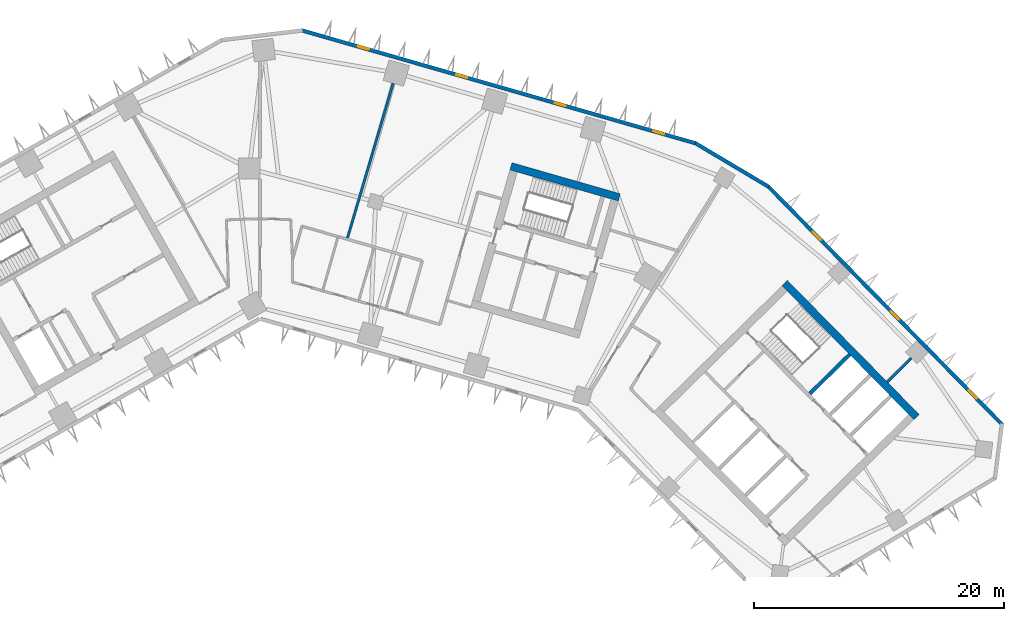
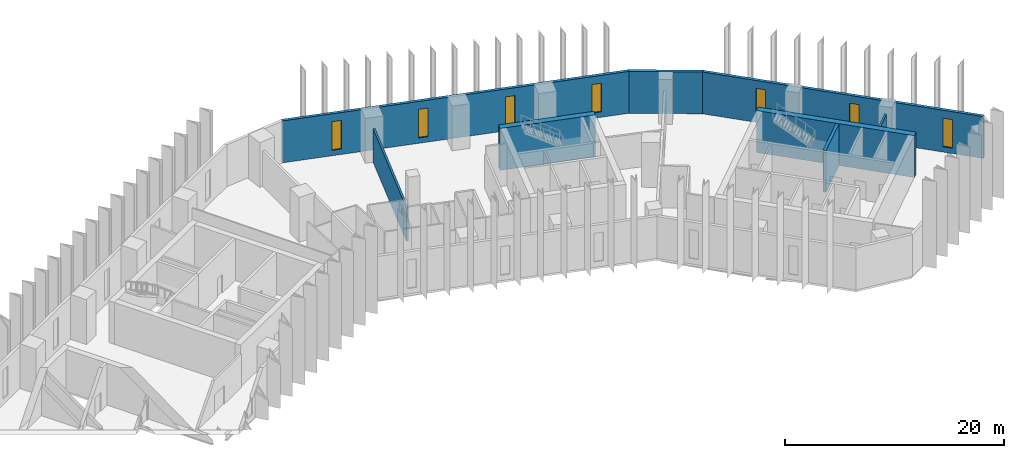
# One storey, part 7 of 11: 8 walls, 7 windows, 7 openings.
"""IFC4 building model written with IfcOpenShell, lengths in metres."""

from ifc_helpers import new_model, si_unit, direction, frame, frame_2d, origin, place, context, subcontext, project, spatial, rectangle, extrude, material, layer, layer_set, type_object, element, fill, save


model = new_model("IFC4")

# Units and contexts
model_context = context("Model", 3, precision=1e-05, world=origin(), true_north=direction((0.0, 1.0)))
body_context = subcontext(model_context, "Body", "Model", "MODEL_VIEW")
ifc_project = project(units=[si_unit("LENGTHUNIT", "METRE"), si_unit("AREAUNIT", "SQUARE_METRE"), si_unit("VOLUMEUNIT", "CUBIC_METRE"), si_unit("PLANEANGLEUNIT", "RADIAN"), si_unit("MASSUNIT", "GRAM", prefix="KILO")], contexts=[model_context])

# Site, building, storey
site_placement = place(None, origin())
site = spatial("IfcSite", under=ifc_project, at=site_placement, CompositionType="ELEMENT")
building_placement = place(site_placement, origin())
building = spatial("IfcBuilding", under=site, at=building_placement, Name="Binnacle Exchange Tower", CompositionType="ELEMENT")
storey_placement = place(building_placement, frame((0.0, 0.0, 46.5)))
storey = spatial("IfcBuildingStorey", under=building, at=storey_placement, Name="L09", CompositionType="ELEMENT", Elevation=46.5)

# Walls
ifc_material_1 = material(Name="Concrete C70/85", Category="concrete")
ifc_layer_1 = layer(ifc_material_1, 0.60009765625)
ifc_layer_set_1 = layer_set([ifc_layer_1], Name="Core wall - outer 600")
wall_type_1 = type_object("IfcWallType", Name="Core wall - outer 600", PredefinedType="SOLIDWALL", material=ifc_layer_set_1)
wall_1_placement = place(storey_placement, frame((41.91650390625, 50.855712890625, 0.0), z_axis=(0.0, 0.0, 1.0), x_axis=(0.700911255944, -0.713248491965, 0.0)))
element("IfcWall", 1, at=wall_1_placement, inside=storey, type_object=wall_type_1, Name="Core wall CRWB6", PredefinedType="SOLIDWALL", context=body_context, shape_type="SweptSolid", body=[
    extrude(rectangle(XDim=15.0, YDim=0.60009765625, at=frame_2d((7.5, 0.0))), origin(), (0.0, 0.0, 1.0), 4.679931640625),
])
wall_2_placement = place(storey_placement, frame((20.052734375, 60.1796875, 0.0), z_axis=(0.0, 0.0, 1.0), x_axis=(0.96126248289, -0.275634611374, 0.0)))
element("IfcWall", 2, at=wall_2_placement, inside=storey, type_object=wall_type_1, Name="Core wall CRWD6", PredefinedType="SOLIDWALL", context=body_context, shape_type="SweptSolid", body=[
    extrude(rectangle(XDim=9.0, YDim=0.60009765625, at=frame_2d((4.5, 0.0))), origin(), (0.0, 0.0, 1.0), 4.679931640625),
])
ifc_layer_2 = layer(ifc_material_1, 0.300048828125)
ifc_layer_set_2 = layer_set([ifc_layer_2], Name="Core wall - stair 300")
wall_type_2 = type_object("IfcWallType", Name="Core wall - stair 300", PredefinedType="SOLIDWALL", material=ifc_layer_set_2)
wall_3_placement = place(storey_placement, frame((43.925537109375, 42.034423828125, 0.0), z_axis=(0.0, 0.0, 1.0), x_axis=(0.713251741427, 0.700907949271, 0.0)))
element("IfcWall", 3, at=wall_3_placement, inside=storey, type_object=wall_type_2, Name="Core wall CRWB11", PredefinedType="SOLIDWALL", context=body_context, shape_type="SweptSolid", body=[
    extrude(rectangle(XDim=4.4501953125, YDim=0.300048828125, at=frame_2d((2.22509765625, 0.0))), origin(), (0.0, 0.0, 1.0), 4.679931640625),
])
ifc_material_2 = material(Name="Bronze aluminium cladding", Category="aluminium")
ifc_layer_3 = layer(ifc_material_2, 0.300048828125)
ifc_layer_set_3 = layer_set([ifc_layer_3], Name="External wall - spandrel 300")
wall_type_3 = type_object("IfcWallType", Name="External wall - spandrel 300", PredefinedType="STANDARD", material=ifc_layer_set_3)
wall_4_placement = place(storey_placement, frame((34.773193359375, 62.0341796875, 0.0), z_axis=(0.0, 0.0, 1.0), x_axis=(0.859401317772, -0.511301647769, 0.0)))
element("IfcWall", 4, at=wall_4_placement, inside=storey, type_object=wall_type_3, Name="External wall EW-F00 L09", PredefinedType="STANDARD", context=body_context, shape_type="SweptSolid", body=[
    extrude(rectangle(XDim=6.80810546875, YDim=0.300048828125, at=frame_2d((3.404052734375, 0.0))), origin(), (0.0, 0.0, 1.0), 4.679931640625),
])

# Wall, openings, windows
wall_5_placement = place(storey_placement, frame((3.33544921875, 71.043701171875, 0.0), z_axis=(0.0, 0.0, 1.0), x_axis=(0.961260130989, -0.275642813387, 0.0)))
wall_5 = element("IfcWall", 5, at=wall_5_placement, inside=storey, type_object=wall_type_3, Name="External wall EW-F01 L09", PredefinedType="STANDARD", context=body_context, shape_type="SweptSolid", body=[
    extrude(rectangle(XDim=32.7412109375, YDim=0.300048828125, at=frame_2d((16.37060546875, 0.0))), origin(), (0.0, 0.0, 1.0), 4.679931640625),
])
opening_1_placement = place(wall_5_placement, frame((29.20703125, 0.0, 0.60009765625)))
opening_1 = element("IfcOpeningElement", 6, at=opening_1_placement, cuts=wall_5, Name="Opening WS1", PredefinedType="OPENING", context=body_context, shape_type="SweptSolid", body=[
    extrude(rectangle(XDim=0.89990234375, YDim=3.199951171875, at=frame_2d((0.449951171875, 1.60009765625))), frame((0.0, 0.159912109375, 0.0), z_axis=(0.0, -1.0, 0.0), x_axis=(1.0, 0.0, 0.0)), (0.0, 0.0, 1.0), 0.320068359375),
])
opening_2_placement = place(wall_5_placement, frame((21.0341796875, 0.0, 0.60009765625)))
opening_2 = element("IfcOpeningElement", 7, at=opening_2_placement, cuts=wall_5, Name="Opening WS1", PredefinedType="OPENING", context=body_context, shape_type="SweptSolid", body=[
    extrude(rectangle(XDim=0.89990234375, YDim=3.199951171875, at=frame_2d((0.449951171875, 1.60009765625))), frame((0.0, 0.159912109375, 0.0), z_axis=(0.0, -1.0, 0.0), x_axis=(1.0, 0.0, 0.0)), (0.0, 0.0, 1.0), 0.320068359375),
])
opening_3_placement = place(wall_5_placement, frame((12.861083984375, 0.0, 0.60009765625)))
opening_3 = element("IfcOpeningElement", 8, at=opening_3_placement, cuts=wall_5, Name="Opening WS1", PredefinedType="OPENING", context=body_context, shape_type="SweptSolid", body=[
    extrude(rectangle(XDim=0.89990234375, YDim=3.199951171875, at=frame_2d((0.449951171875, 1.60009765625))), frame((0.0, 0.159912109375, 0.0), z_axis=(0.0, -1.0, 0.0), x_axis=(1.0, 0.0, 0.0)), (0.0, 0.0, 1.0), 0.320068359375),
])
opening_4_placement = place(wall_5_placement, frame((4.688232421875, 0.0, 0.60009765625)))
opening_4 = element("IfcOpeningElement", 9, at=opening_4_placement, cuts=wall_5, Name="Opening WS1", PredefinedType="OPENING", context=body_context, shape_type="SweptSolid", body=[
    extrude(rectangle(XDim=0.89990234375, YDim=3.199951171875, at=frame_2d((0.449951171875, 1.60009765625))), frame((0.0, 0.159912109375, 0.0), z_axis=(0.0, -1.0, 0.0), x_axis=(1.0, 0.0, 0.0)), (0.0, 0.0, 1.0), 0.320068359375),
])
ifc_material_3 = material(Name="Bronze anodised aluminium frame", Category="aluminium")
window_type = type_object("IfcWindowType", Name="WS1 WINDOW 900x3200", PartitioningType="SINGLE_PANEL", PredefinedType="WINDOW", material=ifc_material_3)
window_1_placement = place(opening_1_placement, origin())
window_1 = element("IfcWindow", 10, at=window_1_placement, inside=storey, type_object=window_type, Name="Window WS1 L09", OverallHeight=3.199951171875, OverallWidth=0.89990234375, PartitioningType="SINGLE_PANEL", PredefinedType="WINDOW", context=body_context, shape_type="SweptSolid", body=[
    extrude(rectangle(XDim=0.89990234375, YDim=3.199951171875, at=frame_2d((0.449951171875, 1.60009765625))), frame((0.0, 0.030029296875, 0.0), z_axis=(0.0, -1.0, 0.0), x_axis=(1.0, 0.0, 0.0)), (0.0, 0.0, 1.0), 0.06005859375),
])
fill(opening_1, window_1)
window_2_placement = place(opening_2_placement, origin())
window_2 = element("IfcWindow", 11, at=window_2_placement, inside=storey, type_object=window_type, Name="Window WS1 L09", OverallHeight=3.199951171875, OverallWidth=0.89990234375, PartitioningType="SINGLE_PANEL", PredefinedType="WINDOW", context=body_context, shape_type="SweptSolid", body=[
    extrude(rectangle(XDim=0.89990234375, YDim=3.199951171875, at=frame_2d((0.449951171875, 1.60009765625))), frame((0.0, 0.030029296875, 0.0), z_axis=(0.0, -1.0, 0.0), x_axis=(1.0, 0.0, 0.0)), (0.0, 0.0, 1.0), 0.06005859375),
])
fill(opening_2, window_2)
window_3_placement = place(opening_3_placement, origin())
window_3 = element("IfcWindow", 12, at=window_3_placement, inside=storey, type_object=window_type, Name="Window WS1 L09", OverallHeight=3.199951171875, OverallWidth=0.89990234375, PartitioningType="SINGLE_PANEL", PredefinedType="WINDOW", context=body_context, shape_type="SweptSolid", body=[
    extrude(rectangle(XDim=0.89990234375, YDim=3.199951171875, at=frame_2d((0.449951171875, 1.60009765625))), frame((0.0, 0.030029296875, 0.0), z_axis=(0.0, -1.0, 0.0), x_axis=(1.0, 0.0, 0.0)), (0.0, 0.0, 1.0), 0.06005859375),
])
fill(opening_3, window_3)
window_4_placement = place(opening_4_placement, origin())
window_4 = element("IfcWindow", 13, at=window_4_placement, inside=storey, type_object=window_type, Name="Window WS1 L09", OverallHeight=3.199951171875, OverallWidth=0.89990234375, PartitioningType="SINGLE_PANEL", PredefinedType="WINDOW", context=body_context, shape_type="SweptSolid", body=[
    extrude(rectangle(XDim=0.89990234375, YDim=3.199951171875, at=frame_2d((0.449951171875, 1.60009765625))), frame((0.0, 0.030029296875, 0.0), z_axis=(0.0, -1.0, 0.0), x_axis=(1.0, 0.0, 0.0)), (0.0, 0.0, 1.0), 0.06005859375),
])
fill(opening_4, window_4)

wall_6_placement = place(storey_placement, frame((40.59375, 58.576904296875, 0.0), z_axis=(0.0, 0.0, 1.0), x_axis=(0.700909719808, -0.713250001528, 0.0)))
wall_6 = element("IfcWall", 14, at=wall_6_placement, inside=storey, type_object=wall_type_3, Name="External wall EW-F13 L09", PredefinedType="STANDARD", context=body_context, shape_type="SweptSolid", body=[
    extrude(rectangle(XDim=26.70849609375, YDim=0.300048828125, at=frame_2d((13.354248046875, 0.0))), origin(), (0.0, 0.0, 1.0), 4.679931640625),
])
opening_5_placement = place(wall_6_placement, frame((22.8583984375, 0.0, 0.60009765625)))
opening_5 = element("IfcOpeningElement", 15, at=opening_5_placement, cuts=wall_6, Name="Opening WS1", PredefinedType="OPENING", context=body_context, shape_type="SweptSolid", body=[
    extrude(rectangle(XDim=0.89990234375, YDim=3.199951171875, at=frame_2d((0.449951171875, 1.60009765625))), frame((0.0, 0.159912109375, 0.0), z_axis=(0.0, -1.0, 0.0), x_axis=(1.0, 0.0, 0.0)), (0.0, 0.0, 1.0), 0.320068359375),
])
opening_6_placement = place(wall_6_placement, frame((13.986572265625, 0.0, 0.60009765625)))
opening_6 = element("IfcOpeningElement", 16, at=opening_6_placement, cuts=wall_6, Name="Opening WS1", PredefinedType="OPENING", context=body_context, shape_type="SweptSolid", body=[
    extrude(rectangle(XDim=0.89990234375, YDim=3.199951171875, at=frame_2d((0.449951171875, 1.60009765625))), frame((0.0, 0.159912109375, 0.0), z_axis=(0.0, -1.0, 0.0), x_axis=(1.0, 0.0, 0.0)), (0.0, 0.0, 1.0), 0.320068359375),
])
opening_7_placement = place(wall_6_placement, frame((5.114501953125, 0.0, 0.60009765625)))
opening_7 = element("IfcOpeningElement", 17, at=opening_7_placement, cuts=wall_6, Name="Opening WS1", PredefinedType="OPENING", context=body_context, shape_type="SweptSolid", body=[
    extrude(rectangle(XDim=0.89990234375, YDim=3.199951171875, at=frame_2d((0.449951171875, 1.60009765625))), frame((0.0, 0.159912109375, 0.0), z_axis=(0.0, -1.0, 0.0), x_axis=(1.0, 0.0, 0.0)), (0.0, 0.0, 1.0), 0.320068359375),
])
window_5_placement = place(opening_5_placement, origin())
window_5 = element("IfcWindow", 18, at=window_5_placement, inside=storey, type_object=window_type, Name="Window WS1 L09", OverallHeight=3.199951171875, OverallWidth=0.89990234375, PartitioningType="SINGLE_PANEL", PredefinedType="WINDOW", context=body_context, shape_type="SweptSolid", body=[
    extrude(rectangle(XDim=0.89990234375, YDim=3.199951171875, at=frame_2d((0.449951171875, 1.60009765625))), frame((0.0, 0.030029296875, 0.0), z_axis=(0.0, -1.0, 0.0), x_axis=(1.0, 0.0, 0.0)), (0.0, 0.0, 1.0), 0.06005859375),
])
fill(opening_5, window_5)
window_6_placement = place(opening_6_placement, origin())
window_6 = element("IfcWindow", 19, at=window_6_placement, inside=storey, type_object=window_type, Name="Window WS1 L09", OverallHeight=3.199951171875, OverallWidth=0.89990234375, PartitioningType="SINGLE_PANEL", PredefinedType="WINDOW", context=body_context, shape_type="SweptSolid", body=[
    extrude(rectangle(XDim=0.89990234375, YDim=3.199951171875, at=frame_2d((0.449951171875, 1.60009765625))), frame((0.0, 0.030029296875, 0.0), z_axis=(0.0, -1.0, 0.0), x_axis=(1.0, 0.0, 0.0)), (0.0, 0.0, 1.0), 0.06005859375),
])
fill(opening_6, window_6)
window_7_placement = place(opening_7_placement, origin())
window_7 = element("IfcWindow", 20, at=window_7_placement, inside=storey, type_object=window_type, Name="Window WS1 L09", OverallHeight=3.199951171875, OverallWidth=0.89990234375, PartitioningType="SINGLE_PANEL", PredefinedType="WINDOW", context=body_context, shape_type="SweptSolid", body=[
    extrude(rectangle(XDim=0.89990234375, YDim=3.199951171875, at=frame_2d((0.449951171875, 1.60009765625))), frame((0.0, 0.030029296875, 0.0), z_axis=(0.0, -1.0, 0.0), x_axis=(1.0, 0.0, 0.0)), (0.0, 0.0, 1.0), 0.06005859375),
])
fill(opening_7, window_7)

# Walls
ifc_material_4 = material(Name="Masonry block wall", Category="masonry")
ifc_layer_4 = layer(ifc_material_4, 0.199951171875)
ifc_layer_set_4 = layer_set([ifc_layer_4], Name="Fire wall - block 200")
wall_type_4 = type_object("IfcWallType", Name="Fire wall - block 200", PredefinedType="PARTITIONING", material=ifc_layer_set_4)
wall_7_placement = place(storey_placement, frame((6.966064453125, 54.362060546875, 0.0), z_axis=(0.0, 0.0, 1.0), x_axis=(0.283027392509, 0.959111826165, 0.0)))
element("IfcWall", 21, at=wall_7_placement, inside=storey, type_object=wall_type_4, Name="Partition W23", PredefinedType="PARTITIONING", context=body_context, shape_type="SweptSolid", body=[
    extrude(rectangle(XDim=12.98486328125, YDim=0.199951171875, at=frame_2d((6.492431640625, 0.0))), origin(), (0.0, 0.0, 1.0), 3.741943359375),
])
wall_8_placement = place(storey_placement, frame((50.111083984375, 42.945068359375, 0.0), z_axis=(0.0, 0.0, 1.0), x_axis=(0.703583283707, 0.710612807996, 0.0)))
element("IfcWall", 22, at=wall_8_placement, inside=storey, type_object=wall_type_4, Name="Partition W44", PredefinedType="PARTITIONING", context=body_context, shape_type="SweptSolid", body=[
    extrude(rectangle(XDim=2.708984375, YDim=0.199951171875, at=frame_2d((1.3544921875, 0.0))), origin(), (0.0, 0.0, 1.0), 4.2099609375),
])

save(model, "model.ifc")
